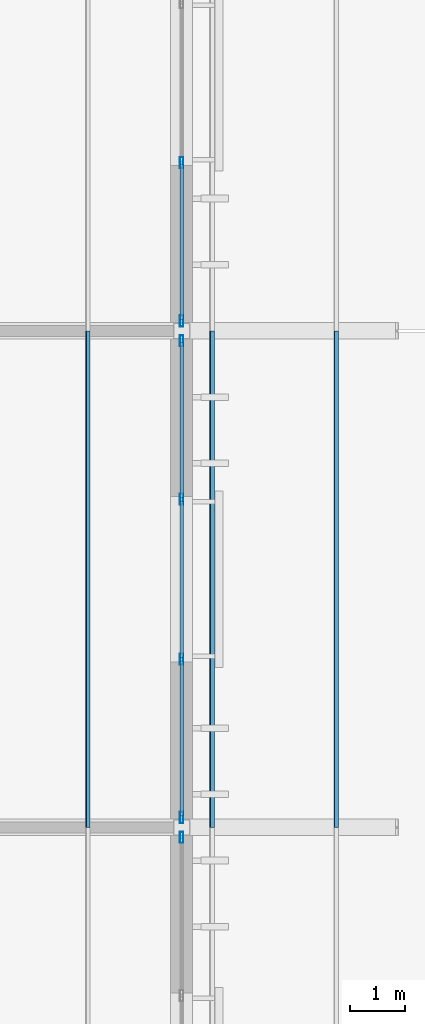
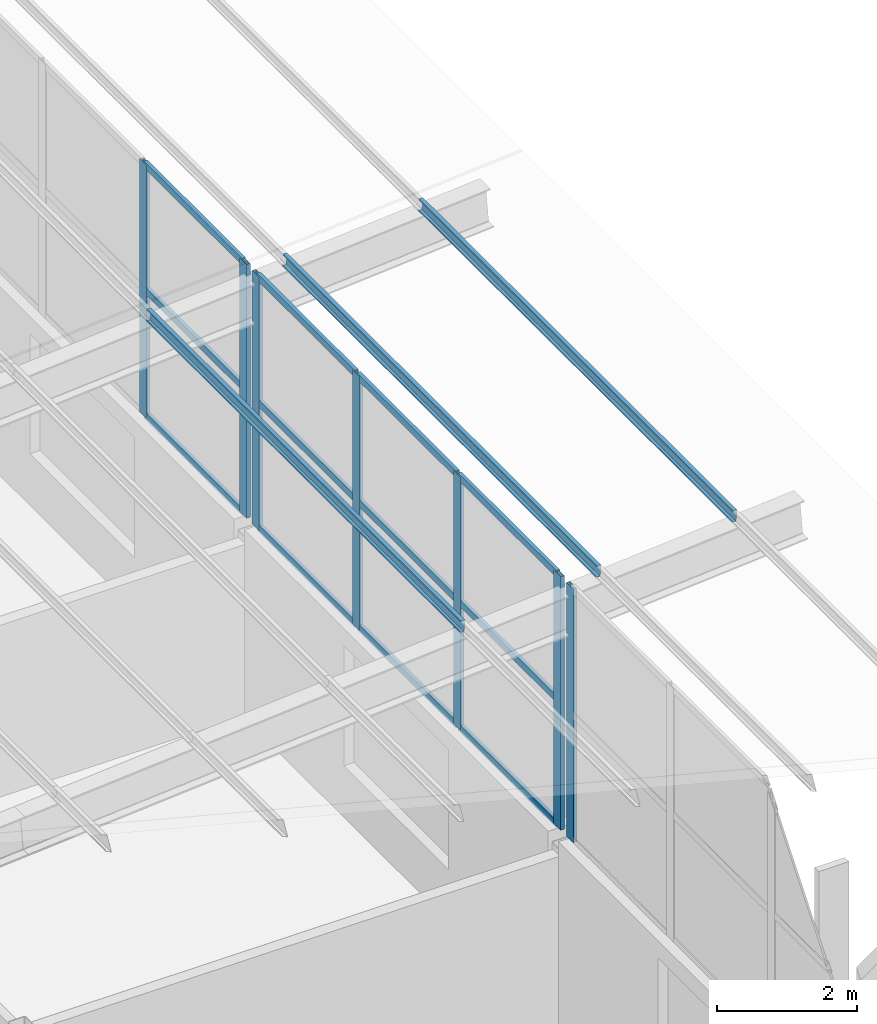
# One storey, part 46 of 85: 22 members, 3 elements without a shape of their own.
"""IFC4 building model written with IfcOpenShell, lengths in metres."""

from ifc_helpers import new_model, si_unit, direction, frame, origin, origin_2d, place, context, subcontext, project, spatial, polyline, hollow_rectangle, outline, extrude, material, layer, layer_set, material_profile, profile_set, type_object, element, aggregate, save


model = new_model("IFC4")

# Units and contexts
model_context = context("Model", 3, precision=1e-05, world=origin(), true_north=direction((0.0, 1.0)))
body_context = subcontext(model_context, "Body", "Model", "MODEL_VIEW")
ifc_project = project(units=[si_unit("LENGTHUNIT", "METRE"), si_unit("AREAUNIT", "SQUARE_METRE"), si_unit("VOLUMEUNIT", "CUBIC_METRE"), si_unit("PLANEANGLEUNIT", "RADIAN"), si_unit("MASSUNIT", "GRAM", prefix="KILO")], contexts=[model_context])

# Site, building, storey
site_placement = place(None, origin())
site = spatial("IfcSite", under=ifc_project, at=site_placement, CompositionType="ELEMENT")
building_placement = place(site_placement, origin())
building = spatial("IfcBuilding", under=site, at=building_placement, Name="Opaline Strait Convention Centre", CompositionType="ELEMENT")
storey_placement = place(building_placement, frame((0.0, 0.0, 17.0)))
storey = spatial("IfcBuildingStorey", under=building, at=storey_placement, Name="L03", CompositionType="ELEMENT", Elevation=17.0)

# Curtain wall, member
ifc_material_1 = material(Name="Aluminium framed double glazing", Category="aluminium")
ifc_layer = layer(ifc_material_1, 0.199951171875)
ifc_layer_set = layer_set([ifc_layer], Name="Aluminium framed double glazing")
curtain_wall_type = type_object("IfcCurtainWallType", Name="Curtain wall 3000 module unitised", PredefinedType="NOTDEFINED", material=ifc_layer_set)
curtain_wall_1_placement = place(storey_placement, origin())
curtain_wall_1 = element("IfcCurtainWall", 1, at=curtain_wall_1_placement, inside=storey, type_object=curtain_wall_type, Name="Clerestory curtain wall E L03 41/P", PredefinedType="NOTDEFINED")
ifc_material_2 = material(Name="Aluminium alloy 6063", Category="aluminium")
ifc_material_profile_1 = material_profile(ifc_material_2, hollow_rectangle(XDim=0.06005859375, YDim=0.199951171875, WallThickness=0.00390625, at=origin_2d()), Name="MULLION 60x200x4")
ifc_profile_set_1 = profile_set([ifc_material_profile_1], Name="Aluminium alloy 6063")
member_type_1 = type_object("IfcMemberType", Name="Curtain wall mullion 60 x 200", PredefinedType="MULLION", material=ifc_profile_set_1)
member_1_placement = place(storey_placement, frame((360.0, 125.820068359375, 3.300048828125), z_axis=(0.0, 0.0, 1.0), x_axis=(-1.0, 0.0, 0.0)))
member_1 = element("IfcMember", 2, at=member_1_placement, type_object=member_type_1, Name="MCWR1 mullion 4", PredefinedType="MULLION", context=body_context, shape_type="SweptSolid", body=[
    extrude(hollow_rectangle(XDim=0.06005859375, YDim=0.199951171875, WallThickness=0.00390625, at=origin_2d()), origin(), (0.0, 0.0, 1.0), 4.43603515625),
])
aggregate(curtain_wall_1, [member_1])

# Curtain wall, members
curtain_wall_2_placement = place(storey_placement, origin())
curtain_wall_2 = element("IfcCurtainWall", 3, at=curtain_wall_2_placement, inside=storey, type_object=curtain_wall_type, Name="Clerestory curtain wall E L03 41/Q", PredefinedType="NOTDEFINED")
member_2_placement = place(storey_placement, frame((360.0, 126.179931640625, 3.300048828125), z_axis=(0.0, 0.0, 1.0), x_axis=(-1.0, 0.0, 0.0)))
member_2 = element("IfcMember", 4, at=member_2_placement, type_object=member_type_1, Name="MCWR1 mullion 1", PredefinedType="MULLION", context=body_context, shape_type="SweptSolid", body=[
    extrude(hollow_rectangle(XDim=0.06005859375, YDim=0.199951171875, WallThickness=0.00390625, at=origin_2d()), origin(), (0.0, 0.0, 1.0), 4.43603515625),
])
member_3_placement = place(storey_placement, frame((360.0, 129.050048828125, 3.300048828125), z_axis=(0.0, 0.0, 1.0), x_axis=(-1.0, 0.0, 0.0)))
member_3 = element("IfcMember", 5, at=member_3_placement, type_object=member_type_1, Name="MCWR1 mullion 2", PredefinedType="MULLION", context=body_context, shape_type="SweptSolid", body=[
    extrude(hollow_rectangle(XDim=0.06005859375, YDim=0.199951171875, WallThickness=0.00390625, at=origin_2d()), origin(), (0.0, 0.0, 1.0), 4.43603515625),
])
member_4_placement = place(storey_placement, frame((360.0, 131.949951171875, 3.300048828125), z_axis=(0.0, 0.0, 1.0), x_axis=(-1.0, 0.0, 0.0)))
member_4 = element("IfcMember", 6, at=member_4_placement, type_object=member_type_1, Name="MCWR1 mullion 3", PredefinedType="MULLION", context=body_context, shape_type="SweptSolid", body=[
    extrude(hollow_rectangle(XDim=0.06005859375, YDim=0.199951171875, WallThickness=0.00390625, at=origin_2d()), origin(), (0.0, 0.0, 1.0), 4.43603515625),
])
member_5_placement = place(storey_placement, frame((360.0, 134.820068359375, 3.300048828125), z_axis=(0.0, 0.0, 1.0), x_axis=(-1.0, 0.0, 0.0)))
member_5 = element("IfcMember", 7, at=member_5_placement, type_object=member_type_1, Name="MCWR1 mullion 4", PredefinedType="MULLION", context=body_context, shape_type="SweptSolid", body=[
    extrude(hollow_rectangle(XDim=0.06005859375, YDim=0.199951171875, WallThickness=0.00390625, at=origin_2d()), origin(), (0.0, 0.0, 1.0), 4.43603515625),
])

curtain_wall_3_placement = place(storey_placement, origin())
curtain_wall_3 = element("IfcCurtainWall", 8, at=curtain_wall_3_placement, inside=storey, type_object=curtain_wall_type, Name="Clerestory curtain wall E L03 41/R", PredefinedType="NOTDEFINED")
member_6_placement = place(storey_placement, frame((360.0, 135.179931640625, 3.300048828125), z_axis=(0.0, 0.0, 1.0), x_axis=(-1.0, 0.0, 0.0)))
member_6 = element("IfcMember", 9, at=member_6_placement, type_object=member_type_1, Name="MCWR1 mullion 1", PredefinedType="MULLION", context=body_context, shape_type="SweptSolid", body=[
    extrude(hollow_rectangle(XDim=0.06005859375, YDim=0.199951171875, WallThickness=0.00390625, at=origin_2d()), origin(), (0.0, 0.0, 1.0), 4.43603515625),
])
member_7_placement = place(storey_placement, frame((360.0, 138.050048828125, 3.300048828125), z_axis=(0.0, 0.0, 1.0), x_axis=(-1.0, 0.0, 0.0)))
member_7 = element("IfcMember", 10, at=member_7_placement, type_object=member_type_1, Name="MCWR1 mullion 2", PredefinedType="MULLION", context=body_context, shape_type="SweptSolid", body=[
    extrude(hollow_rectangle(XDim=0.06005859375, YDim=0.199951171875, WallThickness=0.00390625, at=origin_2d()), origin(), (0.0, 0.0, 1.0), 4.43603515625),
])

# Member
ifc_material_profile_2 = material_profile(ifc_material_2, hollow_rectangle(XDim=0.06005859375, YDim=0.1201171875, WallThickness=0.0029296875, at=origin_2d()), Name="TRANSOM 60x120x3")
ifc_profile_set_2 = profile_set([ifc_material_profile_2], Name="Aluminium alloy 6063")
member_type_2 = type_object("IfcMemberType", Name="Curtain wall transom 60 x 120", PredefinedType="USERDEFINED", material=ifc_profile_set_2)
member_8_placement = place(storey_placement, frame((360.0, 126.2099609375, 3.330078125), z_axis=(0.0, 1.0, 0.0), x_axis=(-1.0, 0.0, 0.0)))
member_8 = element("IfcMember", 11, at=member_8_placement, type_object=member_type_2, Name="MCWR1 transom 1.1", ObjectType="TRANSOM", PredefinedType="USERDEFINED", context=body_context, shape_type="SweptSolid", body=[
    extrude(hollow_rectangle(XDim=0.06005859375, YDim=0.1201171875, WallThickness=0.0029296875, at=origin_2d()), origin(), (0.0, 0.0, 1.0), 2.81005859375),
])

member_9_placement = place(storey_placement, frame((360.0, 126.2099609375, 5.51806640625), z_axis=(0.0, 1.0, 0.0), x_axis=(-1.0, 0.0, 0.0)))
member_9 = element("IfcMember", 12, at=member_9_placement, type_object=member_type_2, Name="MCWR1 transom 1.2", ObjectType="TRANSOM", PredefinedType="USERDEFINED", context=body_context, shape_type="SweptSolid", body=[
    extrude(hollow_rectangle(XDim=0.06005859375, YDim=0.1201171875, WallThickness=0.0029296875, at=origin_2d()), origin(), (0.0, 0.0, 1.0), 2.81005859375),
])

member_10_placement = place(storey_placement, frame((360.0, 126.2099609375, 7.7060546875), z_axis=(0.0, 1.0, 0.0), x_axis=(-1.0, 0.0, 0.0)))
member_10 = element("IfcMember", 13, at=member_10_placement, type_object=member_type_2, Name="MCWR1 transom 1.3", ObjectType="TRANSOM", PredefinedType="USERDEFINED", context=body_context, shape_type="SweptSolid", body=[
    extrude(hollow_rectangle(XDim=0.06005859375, YDim=0.1201171875, WallThickness=0.0029296875, at=origin_2d()), origin(), (0.0, 0.0, 1.0), 2.81005859375),
])

member_11_placement = place(storey_placement, frame((360.0, 129.080078125, 3.330078125), z_axis=(0.0, 1.0, 0.0), x_axis=(-1.0, 0.0, 0.0)))
member_11 = element("IfcMember", 14, at=member_11_placement, type_object=member_type_2, Name="MCWR1 transom 2.1", ObjectType="TRANSOM", PredefinedType="USERDEFINED", context=body_context, shape_type="SweptSolid", body=[
    extrude(hollow_rectangle(XDim=0.06005859375, YDim=0.1201171875, WallThickness=0.0029296875, at=origin_2d()), origin(), (0.0, 0.0, 1.0), 2.83984375),
])

member_12_placement = place(storey_placement, frame((360.0, 129.080078125, 5.51806640625), z_axis=(0.0, 1.0, 0.0), x_axis=(-1.0, 0.0, 0.0)))
member_12 = element("IfcMember", 15, at=member_12_placement, type_object=member_type_2, Name="MCWR1 transom 2.2", ObjectType="TRANSOM", PredefinedType="USERDEFINED", context=body_context, shape_type="SweptSolid", body=[
    extrude(hollow_rectangle(XDim=0.06005859375, YDim=0.1201171875, WallThickness=0.0029296875, at=origin_2d()), origin(), (0.0, 0.0, 1.0), 2.83984375),
])

member_13_placement = place(storey_placement, frame((360.0, 129.080078125, 7.7060546875), z_axis=(0.0, 1.0, 0.0), x_axis=(-1.0, 0.0, 0.0)))
member_13 = element("IfcMember", 16, at=member_13_placement, type_object=member_type_2, Name="MCWR1 transom 2.3", ObjectType="TRANSOM", PredefinedType="USERDEFINED", context=body_context, shape_type="SweptSolid", body=[
    extrude(hollow_rectangle(XDim=0.06005859375, YDim=0.1201171875, WallThickness=0.0029296875, at=origin_2d()), origin(), (0.0, 0.0, 1.0), 2.83984375),
])

member_14_placement = place(storey_placement, frame((360.0, 131.97998046875, 3.330078125), z_axis=(0.0, 1.0, 0.0), x_axis=(-1.0, 0.0, 0.0)))
member_14 = element("IfcMember", 17, at=member_14_placement, type_object=member_type_2, Name="MCWR1 transom 3.1", ObjectType="TRANSOM", PredefinedType="USERDEFINED", context=body_context, shape_type="SweptSolid", body=[
    extrude(hollow_rectangle(XDim=0.06005859375, YDim=0.1201171875, WallThickness=0.0029296875, at=origin_2d()), origin(), (0.0, 0.0, 1.0), 2.81005859375),
])

member_15_placement = place(storey_placement, frame((360.0, 131.97998046875, 5.51806640625), z_axis=(0.0, 1.0, 0.0), x_axis=(-1.0, 0.0, 0.0)))
member_15 = element("IfcMember", 18, at=member_15_placement, type_object=member_type_2, Name="MCWR1 transom 3.2", ObjectType="TRANSOM", PredefinedType="USERDEFINED", context=body_context, shape_type="SweptSolid", body=[
    extrude(hollow_rectangle(XDim=0.06005859375, YDim=0.1201171875, WallThickness=0.0029296875, at=origin_2d()), origin(), (0.0, 0.0, 1.0), 2.81005859375),
])

member_16_placement = place(storey_placement, frame((360.0, 131.97998046875, 7.7060546875), z_axis=(0.0, 1.0, 0.0), x_axis=(-1.0, 0.0, 0.0)))
member_16 = element("IfcMember", 19, at=member_16_placement, type_object=member_type_2, Name="MCWR1 transom 3.3", ObjectType="TRANSOM", PredefinedType="USERDEFINED", context=body_context, shape_type="SweptSolid", body=[
    extrude(hollow_rectangle(XDim=0.06005859375, YDim=0.1201171875, WallThickness=0.0029296875, at=origin_2d()), origin(), (0.0, 0.0, 1.0), 2.81005859375),
])

aggregate(curtain_wall_2, [member_2, member_3, member_4, member_5, member_8, member_9, member_10, member_11, member_12, member_13, member_14, member_15, member_16])

member_17_placement = place(storey_placement, frame((360.0, 135.2099609375, 3.330078125), z_axis=(0.0, 1.0, 0.0), x_axis=(-1.0, 0.0, 0.0)))
member_17 = element("IfcMember", 20, at=member_17_placement, type_object=member_type_2, Name="MCWR1 transom 1.1", ObjectType="TRANSOM", PredefinedType="USERDEFINED", context=body_context, shape_type="SweptSolid", body=[
    extrude(hollow_rectangle(XDim=0.06005859375, YDim=0.1201171875, WallThickness=0.0029296875, at=origin_2d()), origin(), (0.0, 0.0, 1.0), 2.81005859375),
])

member_18_placement = place(storey_placement, frame((360.0, 135.2099609375, 5.51806640625), z_axis=(0.0, 1.0, 0.0), x_axis=(-1.0, 0.0, 0.0)))
member_18 = element("IfcMember", 21, at=member_18_placement, type_object=member_type_2, Name="MCWR1 transom 1.2", ObjectType="TRANSOM", PredefinedType="USERDEFINED", context=body_context, shape_type="SweptSolid", body=[
    extrude(hollow_rectangle(XDim=0.06005859375, YDim=0.1201171875, WallThickness=0.0029296875, at=origin_2d()), origin(), (0.0, 0.0, 1.0), 2.81005859375),
])

member_19_placement = place(storey_placement, frame((360.0, 135.2099609375, 7.7060546875), z_axis=(0.0, 1.0, 0.0), x_axis=(-1.0, 0.0, 0.0)))
member_19 = element("IfcMember", 22, at=member_19_placement, type_object=member_type_2, Name="MCWR1 transom 1.3", ObjectType="TRANSOM", PredefinedType="USERDEFINED", context=body_context, shape_type="SweptSolid", body=[
    extrude(hollow_rectangle(XDim=0.06005859375, YDim=0.1201171875, WallThickness=0.0029296875, at=origin_2d()), origin(), (0.0, 0.0, 1.0), 2.81005859375),
])

aggregate(curtain_wall_3, [member_6, member_7, member_17, member_18, member_19])

# Members
ifc_material_3 = material(Name="Steel Q355B", Category="steel")
ifc_material_profile_3 = material_profile(ifc_material_3, outline(polyline([(-0.034912109375, -0.10009765625), (0.034912109375, -0.10009765625), (0.034912109375, -0.080078125), (0.032470703125, -0.080078125), (0.032470703125, -0.097412109375), (-0.032470703125, -0.097412109375), (-0.032470703125, 0.097412109375), (0.032470703125, 0.097412109375), (0.032470703125, 0.080078125), (0.034912109375, 0.080078125), (0.034912109375, 0.10009765625), (-0.034912109375, 0.10009765625), (-0.034912109375, -0.10009765625)])), Name="C 200x70x20x2.5")
ifc_profile_set_3 = profile_set([ifc_material_profile_3], Name="Steel Q355B")
member_type_3 = type_object("IfcMemberType", Name="Roof purlin C 200x70x20x2.5", PredefinedType="PURLIN", material=ifc_profile_set_3)
for number, where, z_axis, x_axis, name in (
    (23, (358.300048828125, 126.0, 7.501953125), (0.0, 1.0, 0.0), (-0.996917333733, 0.0, 0.078459095728), "MRP1 purlin E wing 375"),
    (24, (360.550048828125, 126.0, 7.678955078125), (0.0, 1.0, 0.0), (-0.996917333733, 0.0, 0.078459095728), "MRP1 purlin E wing 385"),
    (25, (362.800048828125, 126.0, 7.856201171875), (0.0, 1.0, 0.0), (-0.996917333733, 0.0, 0.078459095728), "MRP1 purlin E wing 395"),
):
    element("IfcMember", number, at=place(storey_placement, frame(where, z_axis=z_axis, x_axis=x_axis)), inside=storey, type_object=member_type_3, Name=name, PredefinedType="PURLIN", context=body_context, shape_type="SweptSolid", body=[
        extrude(outline(polyline([(-0.034912109375, -0.10009765625), (0.034912109375, -0.10009765625), (0.034912109375, -0.080078125), (0.032470703125, -0.080078125), (0.032470703125, -0.097412109375), (-0.032470703125, -0.097412109375), (-0.032470703125, 0.097412109375), (0.032470703125, 0.097412109375), (0.032470703125, 0.080078125), (0.034912109375, 0.080078125), (0.034912109375, 0.10009765625), (-0.034912109375, 0.10009765625), (-0.034912109375, -0.10009765625)])), origin(), (0.0, 0.0, 1.0), 9.0),
    ])

save(model, "model.ifc")
